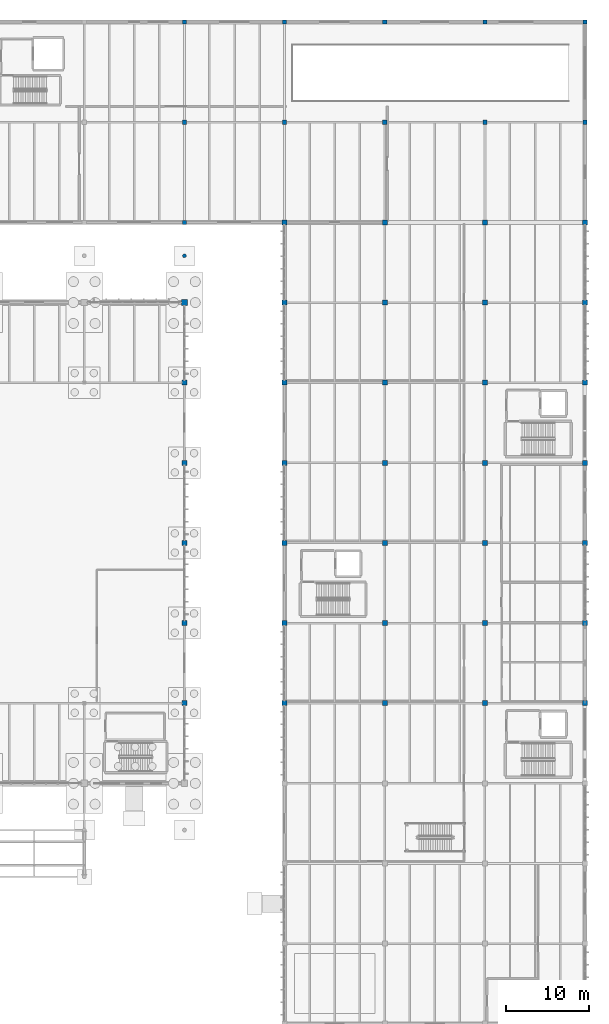
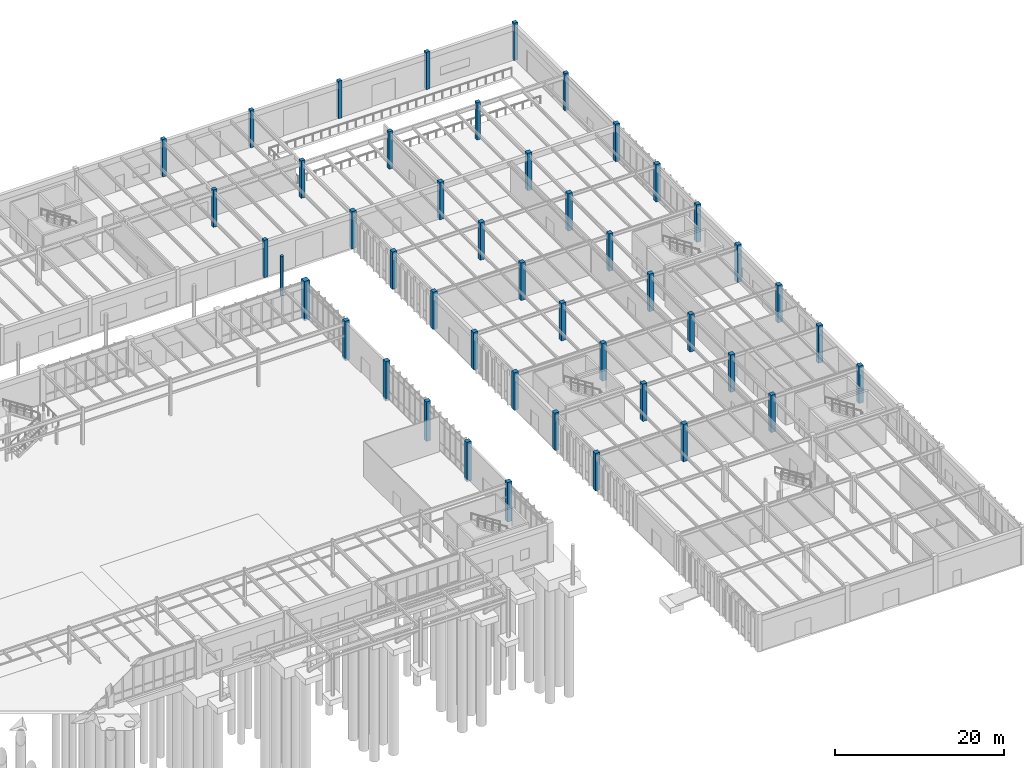
# One storey, part 19 of 188: 46 columns.
"""IFC4 building model written with IfcOpenShell, lengths in metres."""

import ifcopenshell
import ifcopenshell.guid

model = None  # the IFC model being written
_history = None  # IfcOwnerHistory: only IFC2X3 demands one
_inside = {}  # id of a spatial element -> (the spatial element, [elements in it])
_under = {}  # id of a project, library or spatial element -> (it, [spatial elements below it])
_declared = {}  # id of a project -> (the project, [libraries it declares])
_typed = {}  # id of a type object -> (the type object, [elements of that type])
_made_of = {}  # id of a material, layer set ... -> (it, [elements and type objects made of it])


def new_model(schema):
    """Start an empty IFC model of exactly this schema.

    Asked for "IFC4X3", IfcOpenShell would pick the latest addendum, in which some entities
    have other attributes; the version numbers below select the first issue.
    IFC2X3 requires an IfcOwnerHistory on every rooted entity: one is made here for all.
    """
    global model, _history
    if schema == "IFC4X3":
        model = ifcopenshell.file(schema_version=(4, 3, 0, 0))
    else:
        model = ifcopenshell.file(schema=schema)
    _inside.clear()
    _under.clear()
    _declared.clear()
    _typed.clear()
    _made_of.clear()
    _history = None
    if model.schema == "IFC2X3":
        org = make("IfcOrganization", Name="unknown")
        user = make(
            "IfcPersonAndOrganization",
            ThePerson=make("IfcPerson", FamilyName="unknown"),
            TheOrganization=org,
        )
        app = make(
            "IfcApplication",
            ApplicationDeveloper=org,
            Version="unknown",
            ApplicationFullName="unknown",
            ApplicationIdentifier="unknown",
        )
        _history = make(
            "IfcOwnerHistory",
            OwningUser=user,
            OwningApplication=app,
            ChangeAction="ADDED",
            CreationDate=0,
        )
    return model


def make(cls, **values):
    """One entity of the class cls with the attributes given. An attribute that is None is left unset."""
    return model.create_entity(
        cls, **{name: value for name, value in values.items() if value is not None}
    )


def rooted(cls, **values):
    """An entity with a GlobalId (a new one), such as an element, a storey or a relation."""
    return make(cls, GlobalId=ifcopenshell.guid.new(), OwnerHistory=_history, **values)


def si_unit(unit_type, name, prefix=None):
    """IfcSIUnit, for example si_unit("LENGTHUNIT", "METRE", prefix="MILLI")."""
    return make("IfcSIUnit", UnitType=unit_type, Prefix=prefix, Name=name)


def assignment(units):
    """IfcUnitAssignment: the units of a project."""
    return None if units is None else make("IfcUnitAssignment", Units=units)


def point(xyz):
    """IfcCartesianPoint."""
    return None if xyz is None else make("IfcCartesianPoint", Coordinates=xyz)


def direction(xyz):
    """IfcDirection."""
    return None if xyz is None else make("IfcDirection", DirectionRatios=xyz)


def frame(location, z_axis=None, x_axis=None):
    """IfcAxis2Placement3D, a coordinate frame: its origin and axes. An axis left out is left unset."""
    return make(
        "IfcAxis2Placement3D",
        Location=point(location),
        Axis=direction(z_axis),
        RefDirection=direction(x_axis),
    )


def frame_2d(location, x_axis=None):
    """IfcAxis2Placement2D, a coordinate frame in the plane: its origin and x axis."""
    return make(
        "IfcAxis2Placement2D", Location=point(location), RefDirection=direction(x_axis)
    )


def origin():
    """The frame at (0, 0, 0) with its axes left unset."""
    return frame((0.0, 0.0, 0.0))


def origin_2d():
    """The frame at (0, 0) in the plane with its x axis left unset."""
    return frame_2d((0.0, 0.0))


def place(relative_to, where):
    """IfcLocalPlacement: puts the frame where relative to a parent placement (None: the world)."""
    return make(
        "IfcLocalPlacement", PlacementRelTo=relative_to, RelativePlacement=where
    )


def context(
    kind, dimensions, precision=None, world=None, true_north=None, identifier=None
):
    """IfcGeometricRepresentationContext, for example the 3D "Model" context."""
    return make(
        "IfcGeometricRepresentationContext",
        ContextIdentifier=identifier,
        ContextType=kind,
        CoordinateSpaceDimension=dimensions,
        Precision=precision,
        WorldCoordinateSystem=world,
        TrueNorth=true_north,
    )


def subcontext(parent, identifier, kind, view, scale=None):
    """IfcGeometricRepresentationSubContext, for example "Body" below "Model"."""
    return make(
        "IfcGeometricRepresentationSubContext",
        ContextIdentifier=identifier,
        ContextType=kind,
        ParentContext=parent,
        TargetScale=scale,
        TargetView=view,
    )


def project(units=None, contexts=None):
    """IfcProject with its units and contexts."""
    return rooted(
        "IfcProject",
        Name="project",
        RepresentationContexts=contexts,
        UnitsInContext=assignment(units),
    )


def spatial(cls, under=None, at=None, **own):
    """A site, building, storey or space (cls), placed at a placement, below another one or the project."""
    s = rooted(cls, ObjectPlacement=at, **own)
    if under is not None:
        _under.setdefault(under.id(), (under, []))[1].append(s)
    return s


def profile(cls, at=None, kind="AREA", **sizes):
    """A parametric profile (cls). Its sizes go by their IFC names, for example OverallWidth=200.0."""
    return make(cls, ProfileType=kind, Position=at, **sizes)


def rectangle(**sizes):
    """IfcRectangleProfileDef."""
    return profile("IfcRectangleProfileDef", **sizes)


def circle(**sizes):
    """IfcCircleProfileDef."""
    return profile("IfcCircleProfileDef", **sizes)


def extrude(swept, where, along, depth):
    """IfcExtrudedAreaSolid: the profile swept, set in the frame where, extruded along a direction by depth."""
    return make(
        "IfcExtrudedAreaSolid",
        SweptArea=swept,
        Position=where,
        ExtrudedDirection=direction(along),
        Depth=depth,
    )


def shape(context_of_items, identifier, shape_type, items):
    """IfcShapeRepresentation: the items that make up one representation, for example the "Body"."""
    return make(
        "IfcShapeRepresentation",
        ContextOfItems=context_of_items,
        RepresentationIdentifier=identifier,
        RepresentationType=shape_type,
        Items=items,
    )


def material(Name=None, Category=None):
    """IfcMaterial."""
    return make("IfcMaterial", Name=Name, Category=Category)


def material_profile(
    of_material, cross_section, Name=None, Category=None, Priority=None
):
    """IfcMaterialProfile: a cross section and its material."""
    return make(
        "IfcMaterialProfile",
        Name=Name,
        Material=of_material,
        Profile=cross_section,
        Priority=Priority,
        Category=Category,
    )


def profile_set(profiles, Name=None, composite=None):
    """IfcMaterialProfileSet."""
    return make(
        "IfcMaterialProfileSet",
        Name=Name,
        MaterialProfiles=profiles,
        CompositeProfile=composite,
    )


def made_of(thing, what):
    """Note that an element or type object is made of a material, layer set ...; save() writes the relation."""
    if what is not None:
        _made_of.setdefault(what.id(), (what, []))[1].append(thing)
    return thing


def type_object(cls, material=None, **own):
    """A type object (cls), such as IfcWallType, which elements share."""
    return made_of(rooted(cls, **own), material)


def element(
    cls,
    number,
    at=None,
    inside=None,
    cuts=None,
    type_object=None,
    material=None,
    context=None,
    identifier="Body",
    shape_type=None,
    held_by="IfcProductDefinitionShape",
    body=None,
    shapes=None,
    **own,
):
    """One element of the class cls, such as IfcWall. Its Tag is "e" and its number.

    at: its placement. inside: the storey or other place that contains it. cuts: it is an
    opening in that element (IfcRelVoidsElement). A single representation is given by context,
    identifier, shape_type and body (its items); several are given by shapes. held_by: the class
    of the entity that holds the representations. save() writes the other relations.
    """
    e = rooted(cls, Tag="e%d" % number, ObjectPlacement=at, **own)
    if body is not None:
        shapes = [shape(context, identifier, shape_type, body)]
    if shapes is not None:
        e.Representation = make(held_by, Representations=shapes)
    if inside is not None:
        _inside.setdefault(inside.id(), (inside, []))[1].append(e)
    if cuts is not None:
        rooted(
            "IfcRelVoidsElement", RelatingBuildingElement=cuts, RelatedOpeningElement=e
        )
    if type_object is not None:
        _typed.setdefault(type_object.id(), (type_object, []))[1].append(e)
    return made_of(e, material)


def aggregate(whole, parts):
    """IfcRelAggregates: a whole, such as a stair, and the parts it consists of."""
    return rooted("IfcRelAggregates", RelatingObject=whole, RelatedObjects=parts)


def save(model, path):
    """Write the relations noted so far, then the file.

    IfcRelAggregates (storeys below a building ...), IfcRelContainedInSpatialStructure (elements
    in a storey), IfcRelDefinesByType, IfcRelAssociatesMaterial and IfcRelDeclares: one each for
    every whole, place, type object, material and project.
    """
    for whole, parts in _under.values():
        aggregate(whole, parts)
    for where, things in _inside.values():
        rooted(
            "IfcRelContainedInSpatialStructure",
            RelatedElements=things,
            RelatingStructure=where,
        )
    for kind, things in _typed.values():
        rooted("IfcRelDefinesByType", RelatedObjects=things, RelatingType=kind)
    for what, things in _made_of.values():
        rooted("IfcRelAssociatesMaterial", RelatedObjects=things, RelatingMaterial=what)
    for by, libraries in _declared.values():
        rooted("IfcRelDeclares", RelatingContext=by, RelatedDefinitions=libraries)
    model.write(path)


model = new_model("IFC4")

# Units and contexts
model_context = context("Model", 3, precision=1e-05, world=origin(), true_north=direction((0.0, 1.0)))
body_context = subcontext(model_context, "Body", "Model", "MODEL_VIEW")
ifc_project = project(units=[si_unit("LENGTHUNIT", "METRE"), si_unit("AREAUNIT", "SQUARE_METRE"), si_unit("VOLUMEUNIT", "CUBIC_METRE"), si_unit("PLANEANGLEUNIT", "RADIAN"), si_unit("MASSUNIT", "GRAM", prefix="KILO")], contexts=[model_context])

# Site, building, storey
site_placement = place(None, origin())
site = spatial("IfcSite", under=ifc_project, at=site_placement, CompositionType="ELEMENT")
building_placement = place(site_placement, origin())
building = spatial("IfcBuilding", under=site, at=building_placement, Name="Pandanus Reach Market Hall", CompositionType="ELEMENT")
storey_placement = place(building_placement, origin())
storey = spatial("IfcBuildingStorey", under=building, at=storey_placement, Name="L00", CompositionType="ELEMENT", Elevation=0.0)

# Columns
ifc_material_1 = material(Name="Concrete N40 (40 MPa)", Category="concrete")
ifc_material_profile_1 = material_profile(ifc_material_1, rectangle(XDim=0.5, YDim=0.5, at=origin_2d()), Name="RC500x500", Category="LoadBearing")
ifc_profile_set_1 = profile_set([ifc_material_profile_1], Name="Concrete N40 (40 MPa)")
column_type_1 = type_object("IfcColumnType", Name="CL-RC500-E", PredefinedType="COLUMN", material=ifc_profile_set_1)
for number, where, z_axis, x_axis, name in (
    (1, (132.0, 96.0, 0.0), (0.0, 0.0, 1.0), (1.0, 0.0, 0.0), "Column CL-RC500-E V5-132-960 L00"),
    (2, (132.0, 120.0, 0.0), (0.0, 0.0, 1.0), (1.0, 0.0, 0.0), "Column CL-RC500-E V5-132-1200 L00"),
    (3, (144.0, 120.0, 0.0), (0.0, 0.0, 1.0), (1.0, 0.0, 0.0), "Column CL-RC500-E V5-144-1200 L00"),
    (4, (156.0, 120.0, 0.0), (0.0, 0.0, 1.0), (1.0, 0.0, 0.0), "Column CL-RC500-E V5-156-1200 L00"),
    (5, (168.0, 120.0, 0.0), (0.0, 0.0, 1.0), (1.0, 0.0, 0.0), "Column CL-RC500-E V5-168-1200 L00"),
    (6, (180.0, 108.0, 0.0), (0.0, 0.0, 1.0), (1.0, 0.0, 0.0), "Column CL-RC500-E V5-180-1080 L00"),
    (7, (180.0, 120.0, 0.0), (0.0, 0.0, 1.0), (1.0, 0.0, 0.0), "Column CL-RC500-E V5-180-1200 L00"),
):
    element("IfcColumn", number, at=place(storey_placement, frame(where, z_axis=z_axis, x_axis=x_axis)), inside=storey, type_object=column_type_1, Name=name, PredefinedType="COLUMN", context=body_context, shape_type="SweptSolid", body=[
        extrude(rectangle(XDim=0.5, YDim=0.5, at=origin_2d()), origin(), (0.0, 0.0, 1.0), 5.39990234375),
    ])
ifc_material_profile_2 = material_profile(ifc_material_1, rectangle(XDim=0.5, YDim=0.5, at=origin_2d()), Name="RC500x500", Category="LoadBearing")
ifc_profile_set_2 = profile_set([ifc_material_profile_2], Name="Concrete N40 (40 MPa)")
column_type_2 = type_object("IfcColumnType", Name="CL-RC500-I", PredefinedType="COLUMN", material=ifc_profile_set_2)
for number, where, z_axis, x_axis, name in (
    (8, (132.0, 108.0, 0.0), (0.0, 0.0, 1.0), (1.0, 0.0, 0.0), "Column CL-RC500-I V5-132-1080 L00"),
    (9, (144.0, 108.0, 0.0), (0.0, 0.0, 1.0), (1.0, 0.0, 0.0), "Column CL-RC500-I V5-144-1080 L00"),
    (10, (156.0, 108.0, 0.0), (0.0, 0.0, 1.0), (1.0, 0.0, 0.0), "Column CL-RC500-I V5-156-1080 L00"),
    (11, (168.0, 108.0, 0.0), (0.0, 0.0, 1.0), (1.0, 0.0, 0.0), "Column CL-RC500-I V5-168-1080 L00"),
):
    element("IfcColumn", number, at=place(storey_placement, frame(where, z_axis=z_axis, x_axis=x_axis)), inside=storey, type_object=column_type_2, Name=name, PredefinedType="COLUMN", context=body_context, shape_type="SweptSolid", body=[
        extrude(rectangle(XDim=0.5, YDim=0.5, at=origin_2d()), origin(), (0.0, 0.0, 1.0), 5.39990234375),
    ])
ifc_material_profile_3 = material_profile(ifc_material_1, rectangle(XDim=0.60009765625, YDim=0.60009765625, at=origin_2d()), Name="RC600x600", Category="LoadBearing")
ifc_profile_set_3 = profile_set([ifc_material_profile_3], Name="Concrete N40 (40 MPa)")
column_type_3 = type_object("IfcColumnType", Name="CL-RC600-E", PredefinedType="COLUMN", material=ifc_profile_set_3)
for number, where, z_axis, x_axis, name in (
    (12, (144.0, 38.39990234375, 0.0), (0.0, 0.0, 1.0), (1.0, 0.0, 0.0), "Column CL-RC600-E V4-144-384 L00"),
    (13, (144.0, 48.0, 0.0), (0.0, 0.0, 1.0), (1.0, 0.0, 0.0), "Column CL-RC600-E V4-144-480 L00"),
    (14, (144.0, 57.60009765625, 0.0), (0.0, 0.0, 1.0), (1.0, 0.0, 0.0), "Column CL-RC600-E V4-144-576 L00"),
    (15, (144.0, 67.199951171875, 0.0), (0.0, 0.0, 1.0), (1.0, 0.0, 0.0), "Column CL-RC600-E V4-144-672 L00"),
    (16, (144.0, 76.800048828125, 0.0), (0.0, 0.0, 1.0), (1.0, 0.0, 0.0), "Column CL-RC600-E V4-144-768 L00"),
    (17, (144.0, 86.39990234375, 0.0), (0.0, 0.0, 1.0), (1.0, 0.0, 0.0), "Column CL-RC600-E V4-144-864 L00"),
    (18, (144.0, 96.0, 0.0), (0.0, 0.0, 1.0), (1.0, 0.0, 0.0), "Column CL-RC600-E V4-144-960 L00"),
    (19, (156.0, 96.0, 0.0), (0.0, 0.0, 1.0), (1.0, 0.0, 0.0), "Column CL-RC600-E V4-156-960 L00"),
    (20, (168.0, 96.0, 0.0), (0.0, 0.0, 1.0), (1.0, 0.0, 0.0), "Column CL-RC600-E V4-168-960 L00"),
    (21, (180.0, 38.39990234375, 0.0), (0.0, 0.0, 1.0), (1.0, 0.0, 0.0), "Column CL-RC600-E V4-180-384 L00"),
    (22, (180.0, 48.0, 0.0), (0.0, 0.0, 1.0), (1.0, 0.0, 0.0), "Column CL-RC600-E V4-180-480 L00"),
    (23, (180.0, 57.60009765625, 0.0), (0.0, 0.0, 1.0), (1.0, 0.0, 0.0), "Column CL-RC600-E V4-180-576 L00"),
    (24, (180.0, 67.199951171875, 0.0), (0.0, 0.0, 1.0), (1.0, 0.0, 0.0), "Column CL-RC600-E V4-180-672 L00"),
    (25, (180.0, 76.800048828125, 0.0), (0.0, 0.0, 1.0), (1.0, 0.0, 0.0), "Column CL-RC600-E V4-180-768 L00"),
    (26, (180.0, 86.39990234375, 0.0), (0.0, 0.0, 1.0), (1.0, 0.0, 0.0), "Column CL-RC600-E V4-180-864 L00"),
    (27, (180.0, 96.0, 0.0), (0.0, 0.0, 1.0), (1.0, 0.0, 0.0), "Column CL-RC600-E V4-180-960 L00"),
):
    element("IfcColumn", number, at=place(storey_placement, frame(where, z_axis=z_axis, x_axis=x_axis)), inside=storey, type_object=column_type_3, Name=name, PredefinedType="COLUMN", context=body_context, shape_type="SweptSolid", body=[
        extrude(rectangle(XDim=0.60009765625, YDim=0.60009765625, at=origin_2d()), origin(), (0.0, 0.0, 1.0), 5.39990234375),
    ])
for number, where, z_axis, x_axis, name in (
    (28, (132.0, 38.39990234375, -0.300048828125), (0.0, 0.0, 1.0), (1.0, 0.0, 0.0), "Column CL-RC600-E V1M-132-384 L00"),
    (29, (132.0, 76.800048828125, -0.300048828125), (0.0, 0.0, 1.0), (1.0, 0.0, 0.0), "Column CL-RC600-E V1M-132-768 L00"),
    (30, (132.0, 48.0, -0.300048828125), (0.0, 0.0, 1.0), (1.0, 0.0, 0.0), "Column CL-RC600-E V1G-132-480 L00"),
    (31, (132.0, 57.60009765625, -0.300048828125), (0.0, 0.0, 1.0), (1.0, 0.0, 0.0), "Column CL-RC600-E V1G-132-576 L00"),
    (32, (132.0, 67.199951171875, -0.300048828125), (0.0, 0.0, 1.0), (1.0, 0.0, 0.0), "Column CL-RC600-E V1G-132-672 L00"),
):
    element("IfcColumn", number, at=place(storey_placement, frame(where, z_axis=z_axis, x_axis=x_axis)), inside=storey, type_object=column_type_3, Name=name, PredefinedType="COLUMN", context=body_context, shape_type="SweptSolid", body=[
        extrude(rectangle(XDim=0.60009765625, YDim=0.60009765625, at=origin_2d()), origin(), (0.0, 0.0, 1.0), 5.699951171875),
    ])
ifc_material_profile_4 = material_profile(ifc_material_1, rectangle(XDim=0.60009765625, YDim=0.60009765625, at=origin_2d()), Name="RC600x600", Category="LoadBearing")
ifc_profile_set_4 = profile_set([ifc_material_profile_4], Name="Concrete N40 (40 MPa)")
column_type_4 = type_object("IfcColumnType", Name="CL-RC600-I", PredefinedType="COLUMN", material=ifc_profile_set_4)
for number, where, z_axis, x_axis, name in (
    (33, (156.0, 38.39990234375, 0.0), (0.0, 0.0, 1.0), (1.0, 0.0, 0.0), "Column CL-RC600-I V4-156-384 L00"),
    (34, (156.0, 48.0, 0.0), (0.0, 0.0, 1.0), (1.0, 0.0, 0.0), "Column CL-RC600-I V4-156-480 L00"),
    (35, (156.0, 57.60009765625, 0.0), (0.0, 0.0, 1.0), (1.0, 0.0, 0.0), "Column CL-RC600-I V4-156-576 L00"),
    (36, (156.0, 67.199951171875, 0.0), (0.0, 0.0, 1.0), (1.0, 0.0, 0.0), "Column CL-RC600-I V4-156-672 L00"),
    (37, (156.0, 76.800048828125, 0.0), (0.0, 0.0, 1.0), (1.0, 0.0, 0.0), "Column CL-RC600-I V4-156-768 L00"),
    (38, (156.0, 86.39990234375, 0.0), (0.0, 0.0, 1.0), (1.0, 0.0, 0.0), "Column CL-RC600-I V4-156-864 L00"),
    (39, (168.0, 38.39990234375, 0.0), (0.0, 0.0, 1.0), (1.0, 0.0, 0.0), "Column CL-RC600-I V4-168-384 L00"),
    (40, (168.0, 48.0, 0.0), (0.0, 0.0, 1.0), (1.0, 0.0, 0.0), "Column CL-RC600-I V4-168-480 L00"),
    (41, (168.0, 57.60009765625, 0.0), (0.0, 0.0, 1.0), (1.0, 0.0, 0.0), "Column CL-RC600-I V4-168-576 L00"),
    (42, (168.0, 67.199951171875, 0.0), (0.0, 0.0, 1.0), (1.0, 0.0, 0.0), "Column CL-RC600-I V4-168-672 L00"),
    (43, (168.0, 76.800048828125, 0.0), (0.0, 0.0, 1.0), (1.0, 0.0, 0.0), "Column CL-RC600-I V4-168-768 L00"),
    (44, (168.0, 86.39990234375, 0.0), (0.0, 0.0, 1.0), (1.0, 0.0, 0.0), "Column CL-RC600-I V4-168-864 L00"),
):
    element("IfcColumn", number, at=place(storey_placement, frame(where, z_axis=z_axis, x_axis=x_axis)), inside=storey, type_object=column_type_4, Name=name, PredefinedType="COLUMN", context=body_context, shape_type="SweptSolid", body=[
        extrude(rectangle(XDim=0.60009765625, YDim=0.60009765625, at=origin_2d()), origin(), (0.0, 0.0, 1.0), 5.39990234375),
    ])
ifc_material_2 = material(Name="Concrete N50 (50 MPa)", Category="concrete")
ifc_material_profile_5 = material_profile(ifc_material_2, rectangle(XDim=0.75, YDim=0.75, at=origin_2d()), Name="RC750x750", Category="LoadBearing")
ifc_profile_set_5 = profile_set([ifc_material_profile_5], Name="Concrete N50 (50 MPa)")
column_type_5 = type_object("IfcColumnType", Name="CL-RC750-E", PredefinedType="COLUMN", material=ifc_profile_set_5)
column_1_placement = place(storey_placement, frame((132.0, 86.39990234375, -0.300048828125), z_axis=(0.0, 0.0, 1.0), x_axis=(1.0, 0.0, 0.0)))
element("IfcColumn", 45, at=column_1_placement, inside=storey, type_object=column_type_5, Name="Column CL-RC750-E V1A-132-864 L00", PredefinedType="COLUMN", context=body_context, shape_type="SweptSolid", body=[
    extrude(rectangle(XDim=0.75, YDim=0.75, at=origin_2d()), origin(), (0.0, 0.0, 1.0), 5.699951171875),
])
ifc_material_3 = material(Name="Precast concrete S50 (50 MPa)", Category="concrete")
ifc_material_profile_6 = material_profile(ifc_material_3, circle(Radius=0.22509765625, at=origin_2d()), Name="RC450D", Category="LoadBearing")
ifc_profile_set_6 = profile_set([ifc_material_profile_6], Name="Precast concrete S50 (50 MPa)")
column_type_6 = type_object("IfcColumnType", Name="PL-RC450-E", PredefinedType="PILASTER", material=ifc_profile_set_6)
column_2_placement = place(storey_placement, frame((132.0, 92.0, -0.300048828125), z_axis=(0.0, 0.0, 1.0), x_axis=(1.0, 0.0, 0.0)))
element("IfcColumn", 46, at=column_2_placement, inside=storey, type_object=column_type_6, Name="Arcade pilaster P16", PredefinedType="PILASTER", context=body_context, shape_type="SweptSolid", body=[
    extrude(circle(Radius=0.22509765625, at=origin_2d()), origin(), (0.0, 0.0, 1.0), 5.699951171875),
])

save(model, "model.ifc")
